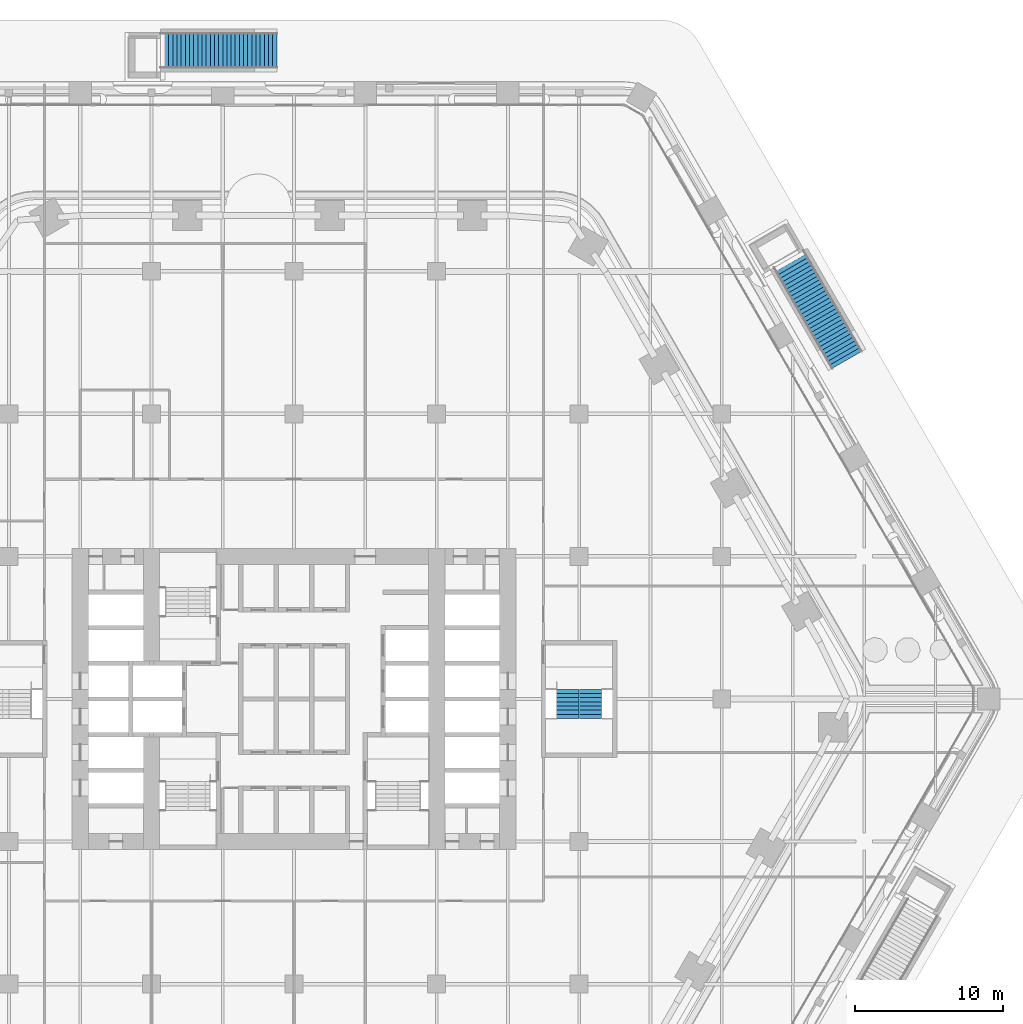
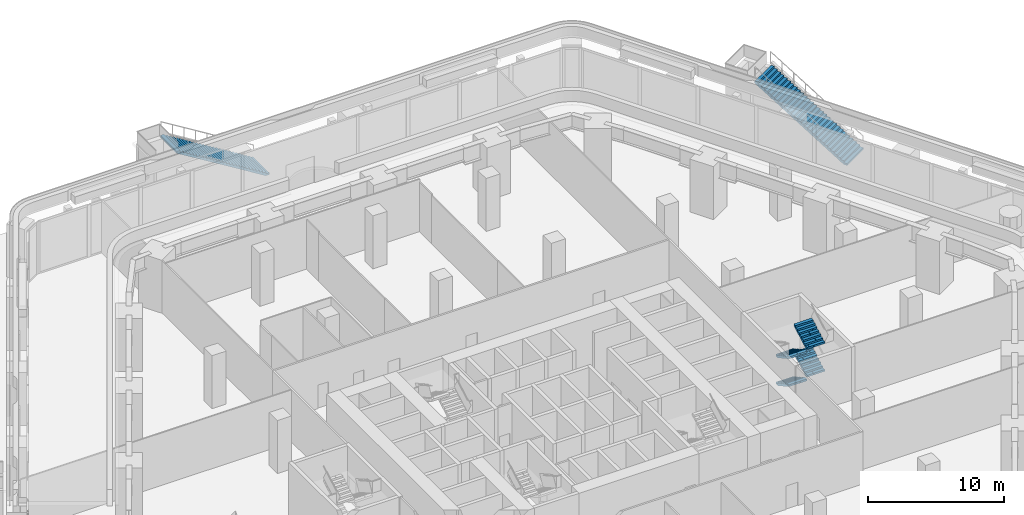
# One storey, part 27 of 34: 6 stair flights, 3 elements without a shape of their own.
"""IFC4 building model written with IfcOpenShell, lengths in metres."""

from ifc_helpers import new_model, si_unit, direction, frame, origin, place, context, subcontext, project, spatial, polyline, outline, extrude, material, type_object, element, aggregate, save


model = new_model("IFC4")

# Units and contexts
model_context = context("Model", 3, precision=1e-05, world=origin(), true_north=direction((0.0, 1.0)))
body_context = subcontext(model_context, "Body", "Model", "MODEL_VIEW")
ifc_project = project(units=[si_unit("LENGTHUNIT", "METRE"), si_unit("AREAUNIT", "SQUARE_METRE"), si_unit("VOLUMEUNIT", "CUBIC_METRE"), si_unit("PLANEANGLEUNIT", "RADIAN"), si_unit("MASSUNIT", "GRAM", prefix="KILO")], contexts=[model_context])

# Site, building, storey
site_placement = place(None, origin())
site = spatial("IfcSite", under=ifc_project, at=site_placement, CompositionType="ELEMENT")
building_placement = place(site_placement, origin())
building = spatial("IfcBuilding", under=site, at=building_placement, Name="Kolab Exchange Tower", CompositionType="ELEMENT")
storey_placement = place(building_placement, frame((0.0, 0.0, 12.39990234375)))
storey = spatial("IfcBuildingStorey", under=building, at=storey_placement, Name="L02", CompositionType="ELEMENT", Elevation=12.39990234375)

# Stair, stair flight
ifc_material_1 = material(Name="Concrete C40/50", Category="concrete")
stair_type_1 = type_object("IfcStairType", Name="GARDEN STAIR RUN A", PredefinedType="STRAIGHT_RUN_STAIR", material=ifc_material_1)
stair_1_placement = place(storey_placement, origin())
stair_1 = element("IfcStair", 1, at=stair_1_placement, inside=storey, type_object=stair_type_1, Name="Garden stair GS1 run A", PredefinedType="STRAIGHT_RUN_STAIR")
stair_flight_type_1 = type_object("IfcStairFlightType", Name="GARDEN STAIR FLIGHT A", PredefinedType="STRAIGHT", material=ifc_material_1)
stair_flight_1_placement = place(storey_placement, frame((-1.159912109375, 43.669189453125, 0.0), z_axis=(0.0, 0.0, 1.0), x_axis=(-1.0, 0.0, 0.0)))
stair_flight_1 = element("IfcStairFlight", 2, at=stair_flight_1_placement, type_object=stair_flight_type_1, Name="GS1 flight 1", NumberOfRisers=29, NumberOfTreads=28, PredefinedType="STRAIGHT", RiserHeight=0.172414, TreadLength=0.28, context=body_context, shape_type="SweptSolid", body=[
    extrude(outline(polyline([(0.0, 0.0), (0.0, 0.17236328125), (0.280029296875, 0.17236328125), (0.280029296875, 0.3447265625), (0.56005859375, 0.3447265625), (0.56005859375, 0.517333984375), (0.840087890625, 0.517333984375), (0.840087890625, 0.689697265625), (1.1201171875, 0.689697265625), (1.1201171875, 0.862060546875), (1.39990234375, 0.862060546875), (1.39990234375, 1.034423828125), (1.679931640625, 1.034423828125), (1.679931640625, 1.206787109375), (1.9599609375, 1.206787109375), (1.9599609375, 1.37939453125), (2.239990234375, 1.37939453125), (2.239990234375, 1.5517578125), (2.52001953125, 1.5517578125), (2.52001953125, 1.72412109375), (2.800048828125, 1.72412109375), (2.800048828125, 1.896484375), (3.080078125, 1.896484375), (3.080078125, 2.06884765625), (3.360107421875, 2.06884765625), (3.360107421875, 2.241455078125), (3.639892578125, 2.241455078125), (3.639892578125, 2.413818359375), (3.919921875, 2.413818359375), (3.919921875, 2.586181640625), (4.199951171875, 2.586181640625), (4.199951171875, 2.758544921875), (4.47998046875, 2.758544921875), (4.47998046875, 2.93115234375), (4.760009765625, 2.93115234375), (4.760009765625, 3.103515625), (5.0400390625, 3.103515625), (5.0400390625, 3.27587890625), (5.320068359375, 3.27587890625), (5.320068359375, 3.4482421875), (5.60009765625, 3.4482421875), (5.60009765625, 3.62060546875), (5.8798828125, 3.62060546875), (5.8798828125, 3.793212890625), (6.159912109375, 3.793212890625), (6.159912109375, 3.965576171875), (6.43994140625, 3.965576171875), (6.43994140625, 4.137939453125), (6.719970703125, 4.137939453125), (6.719970703125, 4.310302734375), (7.0, 4.310302734375), (7.0, 4.482666015625), (7.280029296875, 4.482666015625), (7.280029296875, 4.6552734375), (7.56005859375, 4.6552734375), (7.56005859375, 4.82763671875), (7.840087890625, 4.82763671875), (7.840087890625, 5.0), (7.840087890625, 4.651611328125), (0.285888671875, 0.0), (0.0, 0.0)])), frame((0.0, 1.199951171875, 0.0), z_axis=(0.0, -1.0, 0.0), x_axis=(1.0, 0.0, 0.0)), (0.0, 0.0, 1.0), 2.39990234375),
])
aggregate(stair_1, [stair_flight_1])

stair_2_placement = place(storey_placement, origin())
stair_2 = element("IfcStair", 3, at=stair_2_placement, inside=storey, type_object=stair_type_1, Name="Garden stair GS2 run A", PredefinedType="STRAIGHT_RUN_STAIR")
stair_flight_2_placement = place(storey_placement, frame((37.23876953125, 22.839111328125, 0.0), z_axis=(0.0, 0.0, 1.0), x_axis=(-0.5, 0.866025403784, 0.0)))
stair_flight_2 = element("IfcStairFlight", 4, at=stair_flight_2_placement, type_object=stair_flight_type_1, Name="GS2 flight 1", NumberOfRisers=29, NumberOfTreads=28, PredefinedType="STRAIGHT", RiserHeight=0.172414, TreadLength=0.28, context=body_context, shape_type="SweptSolid", body=[
    extrude(outline(polyline([(0.0, 0.0), (0.0, 0.17236328125), (0.280029296875, 0.17236328125), (0.280029296875, 0.3447265625), (0.56005859375, 0.3447265625), (0.56005859375, 0.517333984375), (0.840087890625, 0.517333984375), (0.840087890625, 0.689697265625), (1.1201171875, 0.689697265625), (1.1201171875, 0.862060546875), (1.39990234375, 0.862060546875), (1.39990234375, 1.034423828125), (1.679931640625, 1.034423828125), (1.679931640625, 1.206787109375), (1.9599609375, 1.206787109375), (1.9599609375, 1.37939453125), (2.239990234375, 1.37939453125), (2.239990234375, 1.5517578125), (2.52001953125, 1.5517578125), (2.52001953125, 1.72412109375), (2.800048828125, 1.72412109375), (2.800048828125, 1.896484375), (3.080078125, 1.896484375), (3.080078125, 2.06884765625), (3.360107421875, 2.06884765625), (3.360107421875, 2.241455078125), (3.639892578125, 2.241455078125), (3.639892578125, 2.413818359375), (3.919921875, 2.413818359375), (3.919921875, 2.586181640625), (4.199951171875, 2.586181640625), (4.199951171875, 2.758544921875), (4.47998046875, 2.758544921875), (4.47998046875, 2.93115234375), (4.760009765625, 2.93115234375), (4.760009765625, 3.103515625), (5.0400390625, 3.103515625), (5.0400390625, 3.27587890625), (5.320068359375, 3.27587890625), (5.320068359375, 3.4482421875), (5.60009765625, 3.4482421875), (5.60009765625, 3.62060546875), (5.8798828125, 3.62060546875), (5.8798828125, 3.793212890625), (6.159912109375, 3.793212890625), (6.159912109375, 3.965576171875), (6.43994140625, 3.965576171875), (6.43994140625, 4.137939453125), (6.719970703125, 4.137939453125), (6.719970703125, 4.310302734375), (7.0, 4.310302734375), (7.0, 4.482666015625), (7.280029296875, 4.482666015625), (7.280029296875, 4.6552734375), (7.56005859375, 4.6552734375), (7.56005859375, 4.82763671875), (7.840087890625, 4.82763671875), (7.840087890625, 5.0), (7.840087890625, 4.651611328125), (0.285888671875, 0.0), (0.0, 0.0)])), frame((0.0, 1.199951171875, 0.0), z_axis=(0.0, -1.0, 0.0), x_axis=(1.0, 0.0, 0.0)), (0.0, 0.0, 1.0), 2.39990234375),
])
aggregate(stair_2, [stair_flight_2])

# Stair, stair flights
ifc_material_2 = material(Name="Concrete C50/60", Category="concrete")
stair_type_2 = type_object("IfcStairType", Name="STAIR ST4 RISER 156.2", PredefinedType="DOUBLE_RETURN_STAIR", material=ifc_material_2)
stair_3_placement = place(storey_placement, origin())
stair_3 = element("IfcStair", 5, at=stair_3_placement, inside=storey, type_object=stair_type_2, Name="Stair 4", PredefinedType="DOUBLE_RETURN_STAIR")
stair_flight_type_2 = type_object("IfcStairFlightType", Name="STAIR FLIGHT 1500 RISER 156.2", PredefinedType="STRAIGHT", material=ifc_material_2)
stair_flight_3_placement = place(storey_placement, frame((18.43994140625, 0.64990234375, 0.0), z_axis=(0.0, 0.0, 1.0), x_axis=(0.0, -1.0, 0.0)))
stair_flight_3 = element("IfcStairFlight", 6, at=stair_flight_3_placement, type_object=stair_flight_type_2, Name="ST4 flight 1", NumberOfRisers=8, NumberOfTreads=7, PredefinedType="STRAIGHT", RiserHeight=0.15625, TreadLength=0.28, context=body_context, shape_type="SweptSolid", body=[
    extrude(outline(polyline([(0.0, 0.0), (0.0, 0.15625), (0.280029296875, 0.15625), (0.280029296875, 0.3125), (0.56005859375, 0.3125), (0.56005859375, 0.46875), (0.840087890625, 0.46875), (0.840087890625, 0.625), (1.1201171875, 0.625), (1.1201171875, 0.78125), (1.39990234375, 0.78125), (1.39990234375, 0.9375), (1.679931640625, 0.9375), (1.679931640625, 1.09375), (1.9599609375, 1.09375), (1.9599609375, 1.25), (1.9599609375, 0.922119140625), (0.3076171875, 0.0), (0.0, 0.0)])), frame((0.0, 0.75, 0.0), z_axis=(0.0, -1.0, 0.0), x_axis=(1.0, 0.0, 0.0)), (0.0, 0.0, 1.0), 0.185791015625),
    extrude(outline(polyline([(0.0, 0.0), (0.0, 0.15625), (0.280029296875, 0.15625), (0.280029296875, 0.3125), (0.56005859375, 0.3125), (0.56005859375, 0.46875), (0.840087890625, 0.46875), (0.840087890625, 0.625), (1.1201171875, 0.625), (1.1201171875, 0.78125), (1.39990234375, 0.78125), (1.39990234375, 0.9375), (1.679931640625, 0.9375), (1.679931640625, 1.09375), (1.9599609375, 1.09375), (1.9599609375, 1.25), (1.9599609375, 0.922119140625), (0.3076171875, 0.0), (0.0, 0.0)])), frame((0.0, 0.562255859375, 0.0), z_axis=(0.0, -1.0, 0.0), x_axis=(1.0, 0.0, 0.0)), (0.0, 0.0, 1.0), 0.185791015625),
    extrude(outline(polyline([(0.0, 0.0), (0.0, 0.15625), (0.280029296875, 0.15625), (0.280029296875, 0.3125), (0.56005859375, 0.3125), (0.56005859375, 0.46875), (0.840087890625, 0.46875), (0.840087890625, 0.625), (1.1201171875, 0.625), (1.1201171875, 0.78125), (1.39990234375, 0.78125), (1.39990234375, 0.9375), (1.679931640625, 0.9375), (1.679931640625, 1.09375), (1.9599609375, 1.09375), (1.9599609375, 1.25), (1.9599609375, 0.922119140625), (0.3076171875, 0.0), (0.0, 0.0)])), frame((0.0, 0.37451171875, 0.0), z_axis=(0.0, -1.0, 0.0), x_axis=(1.0, 0.0, 0.0)), (0.0, 0.0, 1.0), 0.185791015625),
    extrude(outline(polyline([(0.0, 0.0), (0.0, 0.15625), (0.280029296875, 0.15625), (0.280029296875, 0.3125), (0.56005859375, 0.3125), (0.56005859375, 0.46875), (0.840087890625, 0.46875), (0.840087890625, 0.625), (1.1201171875, 0.625), (1.1201171875, 0.78125), (1.39990234375, 0.78125), (1.39990234375, 0.9375), (1.679931640625, 0.9375), (1.679931640625, 1.09375), (1.9599609375, 1.09375), (1.9599609375, 1.25), (1.9599609375, 0.922119140625), (0.3076171875, 0.0), (0.0, 0.0)])), frame((0.0, 0.186767578125, 0.0), z_axis=(0.0, -1.0, 0.0), x_axis=(1.0, 0.0, 0.0)), (0.0, 0.0, 1.0), 0.185791015625),
    extrude(outline(polyline([(0.0, 0.0), (0.0, 0.15625), (0.280029296875, 0.15625), (0.280029296875, 0.3125), (0.56005859375, 0.3125), (0.56005859375, 0.46875), (0.840087890625, 0.46875), (0.840087890625, 0.625), (1.1201171875, 0.625), (1.1201171875, 0.78125), (1.39990234375, 0.78125), (1.39990234375, 0.9375), (1.679931640625, 0.9375), (1.679931640625, 1.09375), (1.9599609375, 1.09375), (1.9599609375, 1.25), (1.9599609375, 0.922119140625), (0.3076171875, 0.0), (0.0, 0.0)])), frame((0.0, -0.0009765625, 0.0), z_axis=(0.0, -1.0, 0.0), x_axis=(1.0, 0.0, 0.0)), (0.0, 0.0, 1.0), 0.185791015625),
    extrude(outline(polyline([(0.0, 0.0), (0.0, 0.15625), (0.280029296875, 0.15625), (0.280029296875, 0.3125), (0.56005859375, 0.3125), (0.56005859375, 0.46875), (0.840087890625, 0.46875), (0.840087890625, 0.625), (1.1201171875, 0.625), (1.1201171875, 0.78125), (1.39990234375, 0.78125), (1.39990234375, 0.9375), (1.679931640625, 0.9375), (1.679931640625, 1.09375), (1.9599609375, 1.09375), (1.9599609375, 1.25), (1.9599609375, 0.922119140625), (0.3076171875, 0.0), (0.0, 0.0)])), frame((0.0, -0.188720703125, 0.0), z_axis=(0.0, -1.0, 0.0), x_axis=(1.0, 0.0, 0.0)), (0.0, 0.0, 1.0), 0.185791015625),
    extrude(outline(polyline([(0.0, 0.0), (0.0, 0.15625), (0.280029296875, 0.15625), (0.280029296875, 0.3125), (0.56005859375, 0.3125), (0.56005859375, 0.46875), (0.840087890625, 0.46875), (0.840087890625, 0.625), (1.1201171875, 0.625), (1.1201171875, 0.78125), (1.39990234375, 0.78125), (1.39990234375, 0.9375), (1.679931640625, 0.9375), (1.679931640625, 1.09375), (1.9599609375, 1.09375), (1.9599609375, 1.25), (1.9599609375, 0.922119140625), (0.3076171875, 0.0), (0.0, 0.0)])), frame((0.0, -0.37646484375, 0.0), z_axis=(0.0, -1.0, 0.0), x_axis=(1.0, 0.0, 0.0)), (0.0, 0.0, 1.0), 0.185791015625),
    extrude(outline(polyline([(0.0, 0.0), (0.0, 0.15625), (0.280029296875, 0.15625), (0.280029296875, 0.3125), (0.56005859375, 0.3125), (0.56005859375, 0.46875), (0.840087890625, 0.46875), (0.840087890625, 0.625), (1.1201171875, 0.625), (1.1201171875, 0.78125), (1.39990234375, 0.78125), (1.39990234375, 0.9375), (1.679931640625, 0.9375), (1.679931640625, 1.09375), (1.9599609375, 1.09375), (1.9599609375, 1.25), (1.9599609375, 0.922119140625), (0.3076171875, 0.0), (0.0, 0.0)])), frame((0.0, -0.564208984375, 0.0), z_axis=(0.0, -1.0, 0.0), x_axis=(1.0, 0.0, 0.0)), (0.0, 0.0, 1.0), 0.185791015625),
])
stair_flight_4_placement = place(storey_placement, frame((19.9599609375, -1.31005859375, 1.25), z_axis=(0.0, 0.0, 1.0), x_axis=(0.0, 1.0, 0.0)))
stair_flight_4 = element("IfcStairFlight", 7, at=stair_flight_4_placement, type_object=stair_flight_type_2, Name="ST4 flight 2", NumberOfRisers=8, NumberOfTreads=7, PredefinedType="STRAIGHT", RiserHeight=0.15625, TreadLength=0.28, context=body_context, shape_type="SweptSolid", body=[
    extrude(outline(polyline([(0.0, 0.0), (0.0, 0.15625), (0.280029296875, 0.15625), (0.280029296875, 0.3125), (0.56005859375, 0.3125), (0.56005859375, 0.46875), (0.840087890625, 0.46875), (0.840087890625, 0.625), (1.1201171875, 0.625), (1.1201171875, 0.78125), (1.39990234375, 0.78125), (1.39990234375, 0.9375), (1.679931640625, 0.9375), (1.679931640625, 1.09375), (1.9599609375, 1.09375), (1.9599609375, 1.25), (1.9599609375, 0.922119140625), (0.3076171875, 0.0), (0.0, 0.0)])), frame((0.0, 0.75, 0.0), z_axis=(0.0, -1.0, 0.0), x_axis=(1.0, 0.0, 0.0)), (0.0, 0.0, 1.0), 0.185791015625),
    extrude(outline(polyline([(0.0, 0.0), (0.0, 0.15625), (0.280029296875, 0.15625), (0.280029296875, 0.3125), (0.56005859375, 0.3125), (0.56005859375, 0.46875), (0.840087890625, 0.46875), (0.840087890625, 0.625), (1.1201171875, 0.625), (1.1201171875, 0.78125), (1.39990234375, 0.78125), (1.39990234375, 0.9375), (1.679931640625, 0.9375), (1.679931640625, 1.09375), (1.9599609375, 1.09375), (1.9599609375, 1.25), (1.9599609375, 0.922119140625), (0.3076171875, 0.0), (0.0, 0.0)])), frame((0.0, 0.562255859375, 0.0), z_axis=(0.0, -1.0, 0.0), x_axis=(1.0, 0.0, 0.0)), (0.0, 0.0, 1.0), 0.185791015625),
    extrude(outline(polyline([(0.0, 0.0), (0.0, 0.15625), (0.280029296875, 0.15625), (0.280029296875, 0.3125), (0.56005859375, 0.3125), (0.56005859375, 0.46875), (0.840087890625, 0.46875), (0.840087890625, 0.625), (1.1201171875, 0.625), (1.1201171875, 0.78125), (1.39990234375, 0.78125), (1.39990234375, 0.9375), (1.679931640625, 0.9375), (1.679931640625, 1.09375), (1.9599609375, 1.09375), (1.9599609375, 1.25), (1.9599609375, 0.922119140625), (0.3076171875, 0.0), (0.0, 0.0)])), frame((0.0, 0.37451171875, 0.0), z_axis=(0.0, -1.0, 0.0), x_axis=(1.0, 0.0, 0.0)), (0.0, 0.0, 1.0), 0.185791015625),
    extrude(outline(polyline([(0.0, 0.0), (0.0, 0.15625), (0.280029296875, 0.15625), (0.280029296875, 0.3125), (0.56005859375, 0.3125), (0.56005859375, 0.46875), (0.840087890625, 0.46875), (0.840087890625, 0.625), (1.1201171875, 0.625), (1.1201171875, 0.78125), (1.39990234375, 0.78125), (1.39990234375, 0.9375), (1.679931640625, 0.9375), (1.679931640625, 1.09375), (1.9599609375, 1.09375), (1.9599609375, 1.25), (1.9599609375, 0.922119140625), (0.3076171875, 0.0), (0.0, 0.0)])), frame((0.0, 0.186767578125, 0.0), z_axis=(0.0, -1.0, 0.0), x_axis=(1.0, 0.0, 0.0)), (0.0, 0.0, 1.0), 0.185791015625),
    extrude(outline(polyline([(0.0, 0.0), (0.0, 0.15625), (0.280029296875, 0.15625), (0.280029296875, 0.3125), (0.56005859375, 0.3125), (0.56005859375, 0.46875), (0.840087890625, 0.46875), (0.840087890625, 0.625), (1.1201171875, 0.625), (1.1201171875, 0.78125), (1.39990234375, 0.78125), (1.39990234375, 0.9375), (1.679931640625, 0.9375), (1.679931640625, 1.09375), (1.9599609375, 1.09375), (1.9599609375, 1.25), (1.9599609375, 0.922119140625), (0.3076171875, 0.0), (0.0, 0.0)])), frame((0.0, -0.0009765625, 0.0), z_axis=(0.0, -1.0, 0.0), x_axis=(1.0, 0.0, 0.0)), (0.0, 0.0, 1.0), 0.185791015625),
    extrude(outline(polyline([(0.0, 0.0), (0.0, 0.15625), (0.280029296875, 0.15625), (0.280029296875, 0.3125), (0.56005859375, 0.3125), (0.56005859375, 0.46875), (0.840087890625, 0.46875), (0.840087890625, 0.625), (1.1201171875, 0.625), (1.1201171875, 0.78125), (1.39990234375, 0.78125), (1.39990234375, 0.9375), (1.679931640625, 0.9375), (1.679931640625, 1.09375), (1.9599609375, 1.09375), (1.9599609375, 1.25), (1.9599609375, 0.922119140625), (0.3076171875, 0.0), (0.0, 0.0)])), frame((0.0, -0.188720703125, 0.0), z_axis=(0.0, -1.0, 0.0), x_axis=(1.0, 0.0, 0.0)), (0.0, 0.0, 1.0), 0.185791015625),
    extrude(outline(polyline([(0.0, 0.0), (0.0, 0.15625), (0.280029296875, 0.15625), (0.280029296875, 0.3125), (0.56005859375, 0.3125), (0.56005859375, 0.46875), (0.840087890625, 0.46875), (0.840087890625, 0.625), (1.1201171875, 0.625), (1.1201171875, 0.78125), (1.39990234375, 0.78125), (1.39990234375, 0.9375), (1.679931640625, 0.9375), (1.679931640625, 1.09375), (1.9599609375, 1.09375), (1.9599609375, 1.25), (1.9599609375, 0.922119140625), (0.3076171875, 0.0), (0.0, 0.0)])), frame((0.0, -0.37646484375, 0.0), z_axis=(0.0, -1.0, 0.0), x_axis=(1.0, 0.0, 0.0)), (0.0, 0.0, 1.0), 0.185791015625),
    extrude(outline(polyline([(0.0, 0.0), (0.0, 0.15625), (0.280029296875, 0.15625), (0.280029296875, 0.3125), (0.56005859375, 0.3125), (0.56005859375, 0.46875), (0.840087890625, 0.46875), (0.840087890625, 0.625), (1.1201171875, 0.625), (1.1201171875, 0.78125), (1.39990234375, 0.78125), (1.39990234375, 0.9375), (1.679931640625, 0.9375), (1.679931640625, 1.09375), (1.9599609375, 1.09375), (1.9599609375, 1.25), (1.9599609375, 0.922119140625), (0.3076171875, 0.0), (0.0, 0.0)])), frame((0.0, -0.564208984375, 0.0), z_axis=(0.0, -1.0, 0.0), x_axis=(1.0, 0.0, 0.0)), (0.0, 0.0, 1.0), 0.185791015625),
])
stair_flight_5_placement = place(storey_placement, frame((18.43994140625, 0.64990234375, 2.5), z_axis=(0.0, 0.0, 1.0), x_axis=(0.0, -1.0, 0.0)))
stair_flight_5 = element("IfcStairFlight", 8, at=stair_flight_5_placement, type_object=stair_flight_type_2, Name="ST4 flight 3", NumberOfRisers=8, NumberOfTreads=7, PredefinedType="STRAIGHT", RiserHeight=0.15625, TreadLength=0.28, context=body_context, shape_type="SweptSolid", body=[
    extrude(outline(polyline([(0.0, 0.0), (0.0, 0.15625), (0.280029296875, 0.15625), (0.280029296875, 0.3125), (0.56005859375, 0.3125), (0.56005859375, 0.46875), (0.840087890625, 0.46875), (0.840087890625, 0.625), (1.1201171875, 0.625), (1.1201171875, 0.78125), (1.39990234375, 0.78125), (1.39990234375, 0.9375), (1.679931640625, 0.9375), (1.679931640625, 1.09375), (1.9599609375, 1.09375), (1.9599609375, 1.25), (1.9599609375, 0.922119140625), (0.3076171875, 0.0), (0.0, 0.0)])), frame((0.0, 0.75, 0.0), z_axis=(0.0, -1.0, 0.0), x_axis=(1.0, 0.0, 0.0)), (0.0, 0.0, 1.0), 0.185791015625),
    extrude(outline(polyline([(0.0, 0.0), (0.0, 0.15625), (0.280029296875, 0.15625), (0.280029296875, 0.3125), (0.56005859375, 0.3125), (0.56005859375, 0.46875), (0.840087890625, 0.46875), (0.840087890625, 0.625), (1.1201171875, 0.625), (1.1201171875, 0.78125), (1.39990234375, 0.78125), (1.39990234375, 0.9375), (1.679931640625, 0.9375), (1.679931640625, 1.09375), (1.9599609375, 1.09375), (1.9599609375, 1.25), (1.9599609375, 0.922119140625), (0.3076171875, 0.0), (0.0, 0.0)])), frame((0.0, 0.562255859375, 0.0), z_axis=(0.0, -1.0, 0.0), x_axis=(1.0, 0.0, 0.0)), (0.0, 0.0, 1.0), 0.185791015625),
    extrude(outline(polyline([(0.0, 0.0), (0.0, 0.15625), (0.280029296875, 0.15625), (0.280029296875, 0.3125), (0.56005859375, 0.3125), (0.56005859375, 0.46875), (0.840087890625, 0.46875), (0.840087890625, 0.625), (1.1201171875, 0.625), (1.1201171875, 0.78125), (1.39990234375, 0.78125), (1.39990234375, 0.9375), (1.679931640625, 0.9375), (1.679931640625, 1.09375), (1.9599609375, 1.09375), (1.9599609375, 1.25), (1.9599609375, 0.922119140625), (0.3076171875, 0.0), (0.0, 0.0)])), frame((0.0, 0.37451171875, 0.0), z_axis=(0.0, -1.0, 0.0), x_axis=(1.0, 0.0, 0.0)), (0.0, 0.0, 1.0), 0.185791015625),
    extrude(outline(polyline([(0.0, 0.0), (0.0, 0.15625), (0.280029296875, 0.15625), (0.280029296875, 0.3125), (0.56005859375, 0.3125), (0.56005859375, 0.46875), (0.840087890625, 0.46875), (0.840087890625, 0.625), (1.1201171875, 0.625), (1.1201171875, 0.78125), (1.39990234375, 0.78125), (1.39990234375, 0.9375), (1.679931640625, 0.9375), (1.679931640625, 1.09375), (1.9599609375, 1.09375), (1.9599609375, 1.25), (1.9599609375, 0.922119140625), (0.3076171875, 0.0), (0.0, 0.0)])), frame((0.0, 0.186767578125, 0.0), z_axis=(0.0, -1.0, 0.0), x_axis=(1.0, 0.0, 0.0)), (0.0, 0.0, 1.0), 0.185791015625),
    extrude(outline(polyline([(0.0, 0.0), (0.0, 0.15625), (0.280029296875, 0.15625), (0.280029296875, 0.3125), (0.56005859375, 0.3125), (0.56005859375, 0.46875), (0.840087890625, 0.46875), (0.840087890625, 0.625), (1.1201171875, 0.625), (1.1201171875, 0.78125), (1.39990234375, 0.78125), (1.39990234375, 0.9375), (1.679931640625, 0.9375), (1.679931640625, 1.09375), (1.9599609375, 1.09375), (1.9599609375, 1.25), (1.9599609375, 0.922119140625), (0.3076171875, 0.0), (0.0, 0.0)])), frame((0.0, -0.0009765625, 0.0), z_axis=(0.0, -1.0, 0.0), x_axis=(1.0, 0.0, 0.0)), (0.0, 0.0, 1.0), 0.185791015625),
    extrude(outline(polyline([(0.0, 0.0), (0.0, 0.15625), (0.280029296875, 0.15625), (0.280029296875, 0.3125), (0.56005859375, 0.3125), (0.56005859375, 0.46875), (0.840087890625, 0.46875), (0.840087890625, 0.625), (1.1201171875, 0.625), (1.1201171875, 0.78125), (1.39990234375, 0.78125), (1.39990234375, 0.9375), (1.679931640625, 0.9375), (1.679931640625, 1.09375), (1.9599609375, 1.09375), (1.9599609375, 1.25), (1.9599609375, 0.922119140625), (0.3076171875, 0.0), (0.0, 0.0)])), frame((0.0, -0.188720703125, 0.0), z_axis=(0.0, -1.0, 0.0), x_axis=(1.0, 0.0, 0.0)), (0.0, 0.0, 1.0), 0.185791015625),
    extrude(outline(polyline([(0.0, 0.0), (0.0, 0.15625), (0.280029296875, 0.15625), (0.280029296875, 0.3125), (0.56005859375, 0.3125), (0.56005859375, 0.46875), (0.840087890625, 0.46875), (0.840087890625, 0.625), (1.1201171875, 0.625), (1.1201171875, 0.78125), (1.39990234375, 0.78125), (1.39990234375, 0.9375), (1.679931640625, 0.9375), (1.679931640625, 1.09375), (1.9599609375, 1.09375), (1.9599609375, 1.25), (1.9599609375, 0.922119140625), (0.3076171875, 0.0), (0.0, 0.0)])), frame((0.0, -0.37646484375, 0.0), z_axis=(0.0, -1.0, 0.0), x_axis=(1.0, 0.0, 0.0)), (0.0, 0.0, 1.0), 0.185791015625),
    extrude(outline(polyline([(0.0, 0.0), (0.0, 0.15625), (0.280029296875, 0.15625), (0.280029296875, 0.3125), (0.56005859375, 0.3125), (0.56005859375, 0.46875), (0.840087890625, 0.46875), (0.840087890625, 0.625), (1.1201171875, 0.625), (1.1201171875, 0.78125), (1.39990234375, 0.78125), (1.39990234375, 0.9375), (1.679931640625, 0.9375), (1.679931640625, 1.09375), (1.9599609375, 1.09375), (1.9599609375, 1.25), (1.9599609375, 0.922119140625), (0.3076171875, 0.0), (0.0, 0.0)])), frame((0.0, -0.564208984375, 0.0), z_axis=(0.0, -1.0, 0.0), x_axis=(1.0, 0.0, 0.0)), (0.0, 0.0, 1.0), 0.185791015625),
])
stair_flight_6_placement = place(storey_placement, frame((19.9599609375, -1.31005859375, 3.75), z_axis=(0.0, 0.0, 1.0), x_axis=(0.0, 1.0, 0.0)))
stair_flight_6 = element("IfcStairFlight", 9, at=stair_flight_6_placement, type_object=stair_flight_type_2, Name="ST4 flight 4", NumberOfRisers=8, NumberOfTreads=7, PredefinedType="STRAIGHT", RiserHeight=0.15625, TreadLength=0.28, context=body_context, shape_type="SweptSolid", body=[
    extrude(outline(polyline([(0.0, 0.0), (0.0, 0.15625), (0.280029296875, 0.15625), (0.280029296875, 0.3125), (0.56005859375, 0.3125), (0.56005859375, 0.46875), (0.840087890625, 0.46875), (0.840087890625, 0.625), (1.1201171875, 0.625), (1.1201171875, 0.78125), (1.39990234375, 0.78125), (1.39990234375, 0.9375), (1.679931640625, 0.9375), (1.679931640625, 1.09375), (1.9599609375, 1.09375), (1.9599609375, 1.25), (1.9599609375, 0.922119140625), (0.3076171875, 0.0), (0.0, 0.0)])), frame((0.0, 0.75, 0.0), z_axis=(0.0, -1.0, 0.0), x_axis=(1.0, 0.0, 0.0)), (0.0, 0.0, 1.0), 0.185791015625),
    extrude(outline(polyline([(0.0, 0.0), (0.0, 0.15625), (0.280029296875, 0.15625), (0.280029296875, 0.3125), (0.56005859375, 0.3125), (0.56005859375, 0.46875), (0.840087890625, 0.46875), (0.840087890625, 0.625), (1.1201171875, 0.625), (1.1201171875, 0.78125), (1.39990234375, 0.78125), (1.39990234375, 0.9375), (1.679931640625, 0.9375), (1.679931640625, 1.09375), (1.9599609375, 1.09375), (1.9599609375, 1.25), (1.9599609375, 0.922119140625), (0.3076171875, 0.0), (0.0, 0.0)])), frame((0.0, 0.562255859375, 0.0), z_axis=(0.0, -1.0, 0.0), x_axis=(1.0, 0.0, 0.0)), (0.0, 0.0, 1.0), 0.185791015625),
    extrude(outline(polyline([(0.0, 0.0), (0.0, 0.15625), (0.280029296875, 0.15625), (0.280029296875, 0.3125), (0.56005859375, 0.3125), (0.56005859375, 0.46875), (0.840087890625, 0.46875), (0.840087890625, 0.625), (1.1201171875, 0.625), (1.1201171875, 0.78125), (1.39990234375, 0.78125), (1.39990234375, 0.9375), (1.679931640625, 0.9375), (1.679931640625, 1.09375), (1.9599609375, 1.09375), (1.9599609375, 1.25), (1.9599609375, 0.922119140625), (0.3076171875, 0.0), (0.0, 0.0)])), frame((0.0, 0.37451171875, 0.0), z_axis=(0.0, -1.0, 0.0), x_axis=(1.0, 0.0, 0.0)), (0.0, 0.0, 1.0), 0.185791015625),
    extrude(outline(polyline([(0.0, 0.0), (0.0, 0.15625), (0.280029296875, 0.15625), (0.280029296875, 0.3125), (0.56005859375, 0.3125), (0.56005859375, 0.46875), (0.840087890625, 0.46875), (0.840087890625, 0.625), (1.1201171875, 0.625), (1.1201171875, 0.78125), (1.39990234375, 0.78125), (1.39990234375, 0.9375), (1.679931640625, 0.9375), (1.679931640625, 1.09375), (1.9599609375, 1.09375), (1.9599609375, 1.25), (1.9599609375, 0.922119140625), (0.3076171875, 0.0), (0.0, 0.0)])), frame((0.0, 0.186767578125, 0.0), z_axis=(0.0, -1.0, 0.0), x_axis=(1.0, 0.0, 0.0)), (0.0, 0.0, 1.0), 0.185791015625),
    extrude(outline(polyline([(0.0, 0.0), (0.0, 0.15625), (0.280029296875, 0.15625), (0.280029296875, 0.3125), (0.56005859375, 0.3125), (0.56005859375, 0.46875), (0.840087890625, 0.46875), (0.840087890625, 0.625), (1.1201171875, 0.625), (1.1201171875, 0.78125), (1.39990234375, 0.78125), (1.39990234375, 0.9375), (1.679931640625, 0.9375), (1.679931640625, 1.09375), (1.9599609375, 1.09375), (1.9599609375, 1.25), (1.9599609375, 0.922119140625), (0.3076171875, 0.0), (0.0, 0.0)])), frame((0.0, -0.0009765625, 0.0), z_axis=(0.0, -1.0, 0.0), x_axis=(1.0, 0.0, 0.0)), (0.0, 0.0, 1.0), 0.185791015625),
    extrude(outline(polyline([(0.0, 0.0), (0.0, 0.15625), (0.280029296875, 0.15625), (0.280029296875, 0.3125), (0.56005859375, 0.3125), (0.56005859375, 0.46875), (0.840087890625, 0.46875), (0.840087890625, 0.625), (1.1201171875, 0.625), (1.1201171875, 0.78125), (1.39990234375, 0.78125), (1.39990234375, 0.9375), (1.679931640625, 0.9375), (1.679931640625, 1.09375), (1.9599609375, 1.09375), (1.9599609375, 1.25), (1.9599609375, 0.922119140625), (0.3076171875, 0.0), (0.0, 0.0)])), frame((0.0, -0.188720703125, 0.0), z_axis=(0.0, -1.0, 0.0), x_axis=(1.0, 0.0, 0.0)), (0.0, 0.0, 1.0), 0.185791015625),
    extrude(outline(polyline([(0.0, 0.0), (0.0, 0.15625), (0.280029296875, 0.15625), (0.280029296875, 0.3125), (0.56005859375, 0.3125), (0.56005859375, 0.46875), (0.840087890625, 0.46875), (0.840087890625, 0.625), (1.1201171875, 0.625), (1.1201171875, 0.78125), (1.39990234375, 0.78125), (1.39990234375, 0.9375), (1.679931640625, 0.9375), (1.679931640625, 1.09375), (1.9599609375, 1.09375), (1.9599609375, 1.25), (1.9599609375, 0.922119140625), (0.3076171875, 0.0), (0.0, 0.0)])), frame((0.0, -0.37646484375, 0.0), z_axis=(0.0, -1.0, 0.0), x_axis=(1.0, 0.0, 0.0)), (0.0, 0.0, 1.0), 0.185791015625),
    extrude(outline(polyline([(0.0, 0.0), (0.0, 0.15625), (0.280029296875, 0.15625), (0.280029296875, 0.3125), (0.56005859375, 0.3125), (0.56005859375, 0.46875), (0.840087890625, 0.46875), (0.840087890625, 0.625), (1.1201171875, 0.625), (1.1201171875, 0.78125), (1.39990234375, 0.78125), (1.39990234375, 0.9375), (1.679931640625, 0.9375), (1.679931640625, 1.09375), (1.9599609375, 1.09375), (1.9599609375, 1.25), (1.9599609375, 0.922119140625), (0.3076171875, 0.0), (0.0, 0.0)])), frame((0.0, -0.564208984375, 0.0), z_axis=(0.0, -1.0, 0.0), x_axis=(1.0, 0.0, 0.0)), (0.0, 0.0, 1.0), 0.185791015625),
])
aggregate(stair_3, [stair_flight_3, stair_flight_4, stair_flight_5, stair_flight_6])

save(model, "model.ifc")
